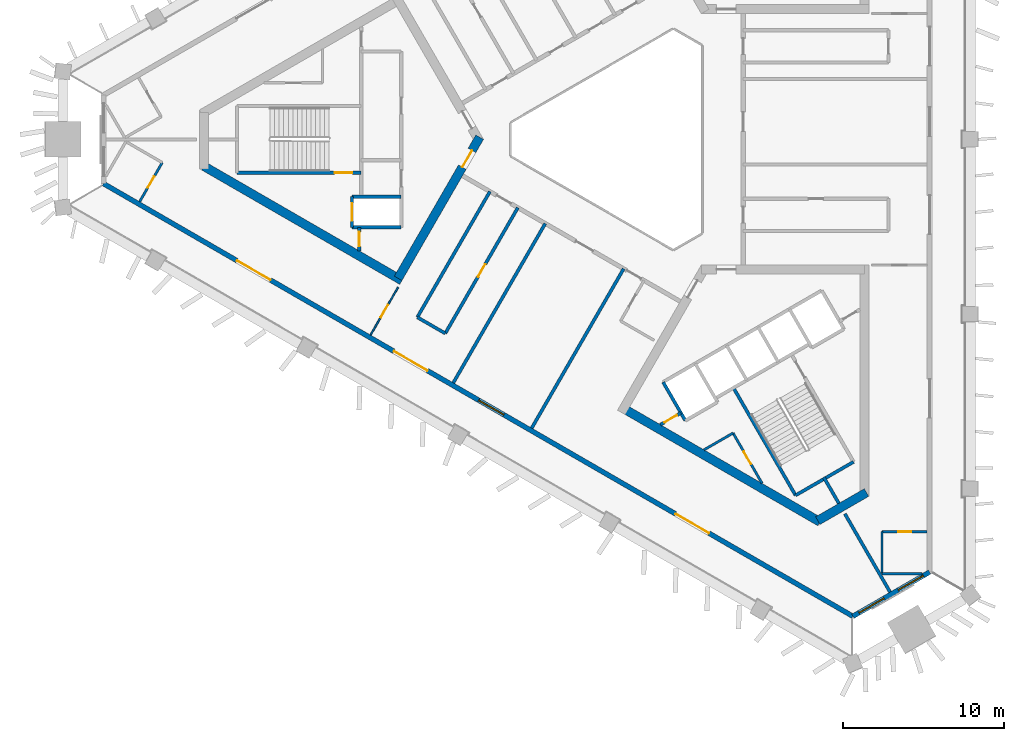
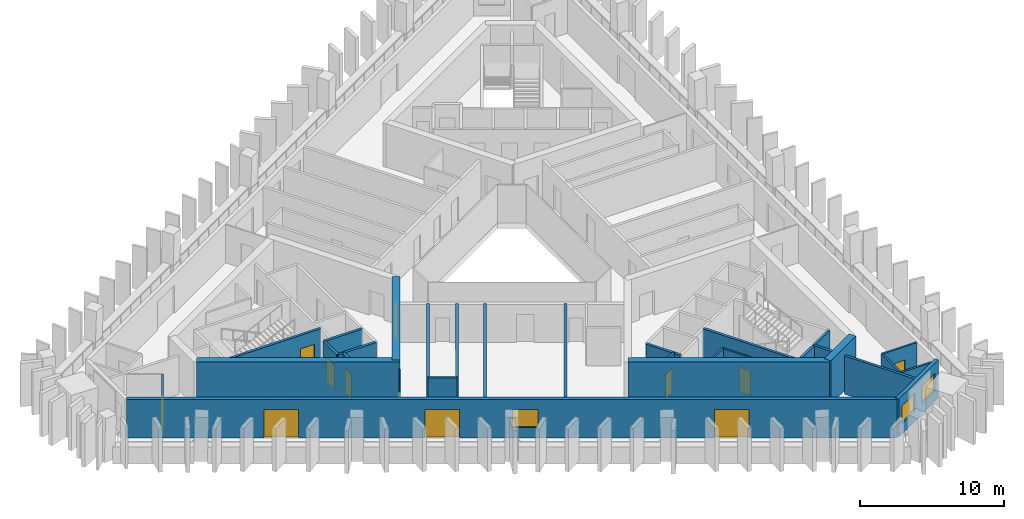
# One storey, part 2 of 9: 29 walls, 13 doors, 3 windows, 16 openings.
"""IFC4 building model written with IfcOpenShell, lengths in metres."""

from ifc_helpers import new_model, si_unit, direction, frame, frame_2d, origin, place, context, subcontext, project, spatial, rectangle, extrude, material, layer, layer_set, type_object, element, fill, save


model = new_model("IFC4")

# Units and contexts
model_context = context("Model", 3, precision=1e-05, world=origin(), true_north=direction((0.0, 1.0)))
body_context = subcontext(model_context, "Body", "Model", "MODEL_VIEW")
ifc_project = project(units=[si_unit("LENGTHUNIT", "METRE"), si_unit("AREAUNIT", "SQUARE_METRE"), si_unit("VOLUMEUNIT", "CUBIC_METRE"), si_unit("PLANEANGLEUNIT", "RADIAN"), si_unit("MASSUNIT", "GRAM", prefix="KILO")], contexts=[model_context])

# Site, building, storey
site_placement = place(None, origin())
site = spatial("IfcSite", under=ifc_project, at=site_placement, CompositionType="ELEMENT")
building_placement = place(site_placement, origin())
building = spatial("IfcBuilding", under=site, at=building_placement, Name="Jabali Bay Hotel Tower and Convention Centre", CompositionType="ELEMENT")
storey_placement = place(building_placement, frame((0.0, 0.0, 171.10009765625)))
storey = spatial("IfcBuildingStorey", under=building, at=storey_placement, Name="L41", CompositionType="ELEMENT", Elevation=171.10009765625)

# Wall, opening, door
ifc_material_1 = material(Name="Concrete C40", Category="concrete")
ifc_layer_1 = layer(ifc_material_1, 0.199951171875)
ifc_layer_set_1 = layer_set([ifc_layer_1], Name="Concrete C40")
wall_type_1 = type_object("IfcWallType", Name="Core partition wall 200", PredefinedType="PARTITIONING", material=ifc_layer_set_1)
wall_1_placement = place(storey_placement, frame((58.300048828125, 74.550048828125, 0.0), z_axis=(0.0, 0.0, 1.0), x_axis=(0.0, -1.0, 0.0)))
wall_1 = element("IfcWall", 1, at=wall_1_placement, inside=storey, type_object=wall_type_1, Name="Core wall 0.10 L41", PredefinedType="PARTITIONING", context=body_context, shape_type="SweptSolid", body=[
    extrude(rectangle(XDim=1.455078125, YDim=0.199951171875, at=frame_2d((0.7275390625, 0.0))), origin(), (0.0, 0.0, 1.0), 3.25),
])
opening_1_placement = place(wall_1_placement, frame((0.277587890625, 0.0, 0.0)))
opening_1 = element("IfcOpeningElement", 2, at=opening_1_placement, cuts=wall_1, Name="Opening D889", PredefinedType="OPENING", context=body_context, shape_type="SweptSolid", body=[
    extrude(rectangle(XDim=0.89990234375, YDim=2.10009765625, at=frame_2d((0.449951171875, 1.050048828125))), frame((0.0, 0.1103515625, 0.0), z_axis=(0.0, -1.0, 0.0), x_axis=(1.0, 0.0, 0.0)), (0.0, 0.0, 1.0), 0.220947265625),
])
ifc_material_2 = material(Name="Fire-rated steel door", Category="steel")
door_type_1 = type_object("IfcDoorType", Name="Vestibule fire door 900 x 2100", OperationType="NOTDEFINED", PredefinedType="NOTDEFINED", material=ifc_material_2)
door_1_placement = place(opening_1_placement, origin())
door_1 = element("IfcDoor", 3, at=door_1_placement, inside=storey, type_object=door_type_1, Name="Vestibule fire door D889", OperationType="SINGLE_SWING_LEFT", OverallHeight=2.10009765625, OverallWidth=0.89990234375, PredefinedType="NOTDEFINED", context=body_context, shape_type="SweptSolid", body=[
    extrude(rectangle(XDim=0.89990234375, YDim=2.10009765625, at=frame_2d((0.449951171875, 1.050048828125))), frame((0.0, 0.02490234375, 0.0), z_axis=(0.0, -1.0, 0.0), x_axis=(1.0, 0.0, 0.0)), (0.0, 0.0, 1.0), 0.050048828125),
])
fill(opening_1, door_1)

# Wall
wall_2_placement = place(storey_placement, frame((87.090087890625, 59.0595703125, 0.0), z_axis=(0.0, 0.0, 1.0), x_axis=(0.499951854219, -0.86605319898, 0.0)))
element("IfcWall", 4, at=wall_2_placement, inside=storey, type_object=wall_type_1, Name="Core wall 2.5 L41", PredefinedType="PARTITIONING", context=body_context, shape_type="SweptSolid", body=[
    extrude(rectangle(XDim=1.873291015625, YDim=0.199951171875, at=frame_2d((0.9365234375, 0.0))), origin(), (0.0, 0.0, 1.0), 3.25),
])

# Wall, opening, door
wall_3_placement = place(storey_placement, frame((76.969970703125, 62.315673828125, 0.0), z_axis=(0.0, 0.0, 1.0), x_axis=(0.865982457891, 0.500074377092, 0.0)))
wall_3 = element("IfcWall", 5, at=wall_3_placement, inside=storey, type_object=wall_type_1, Name="Core wall 2.11 L41", PredefinedType="PARTITIONING", context=body_context, shape_type="SweptSolid", body=[
    extrude(rectangle(XDim=1.461181640625, YDim=0.199951171875, at=frame_2d((0.73046875, 0.0))), origin(), (0.0, 0.0, 1.0), 3.25),
])
opening_2_placement = place(wall_3_placement, frame((0.280517578125, 0.0, 0.0)))
opening_2 = element("IfcOpeningElement", 6, at=opening_2_placement, cuts=wall_3, Name="Opening D902", PredefinedType="OPENING", context=body_context, shape_type="SweptSolid", body=[
    extrude(rectangle(XDim=0.89990234375, YDim=2.10009765625, at=frame_2d((0.449951171875, 1.050048828125))), frame((0.0, 0.1103515625, 0.0), z_axis=(0.0, -1.0, 0.0), x_axis=(1.0, 0.0, 0.0)), (0.0, 0.0, 1.0), 0.220947265625),
])
door_2_placement = place(opening_2_placement, origin())
door_2 = element("IfcDoor", 7, at=door_2_placement, inside=storey, type_object=door_type_1, Name="Vestibule fire door D902", OperationType="SINGLE_SWING_LEFT", OverallHeight=2.10009765625, OverallWidth=0.89990234375, PredefinedType="NOTDEFINED", context=body_context, shape_type="SweptSolid", body=[
    extrude(rectangle(XDim=0.89990234375, YDim=2.10009765625, at=frame_2d((0.449951171875, 1.050048828125))), frame((0.0, 0.02490234375, 0.0), z_axis=(0.0, -1.0, 0.0), x_axis=(1.0, 0.0, 0.0)), (0.0, 0.0, 1.0), 0.050048828125),
])
fill(opening_2, door_2)

ifc_material_3 = material(Name="Fire-rated board partition")
ifc_layer_2 = layer(ifc_material_3, 0.14990234375)
ifc_layer_set_2 = layer_set([ifc_layer_2], Name="Fire-rated board partition")
wall_type_2 = type_object("IfcWallType", Name="Core room partition 150", PredefinedType="PARTITIONING", material=ifc_layer_set_2)
wall_4_placement = place(storey_placement, frame((81.468994140625, 61.79541015625, 0.0), z_axis=(0.0, 0.0, 1.0), x_axis=(0.499992664208, -0.866029639064, 0.0)))
wall_4 = element("IfcWall", 8, at=wall_4_placement, inside=storey, type_object=wall_type_2, Name="Core wall 2.1 L41", PredefinedType="PARTITIONING", context=body_context, shape_type="SweptSolid", body=[
    extrude(rectangle(XDim=3.59765625, YDim=0.14990234375, at=frame_2d((1.798828125, 0.0))), origin(), (0.0, 0.0, 1.0), 3.25),
])
opening_3_placement = place(wall_4_placement, frame((1.321533203125, 0.0, 0.0)))
opening_3 = element("IfcOpeningElement", 9, at=opening_3_placement, cuts=wall_4, Name="Opening D904", PredefinedType="OPENING", context=body_context, shape_type="SweptSolid", body=[
    extrude(rectangle(XDim=0.89990234375, YDim=2.10009765625, at=frame_2d((0.449951171875, 1.050048828125))), frame((0.0, 0.08544921875, 0.0), z_axis=(0.0, -1.0, 0.0), x_axis=(1.0, 0.0, 0.0)), (0.0, 0.0, 1.0), 0.1708984375),
])
door_type_2 = type_object("IfcDoorType", Name="Core room door 900 x 2100", OperationType="NOTDEFINED", PredefinedType="NOTDEFINED", material=ifc_material_2)
door_3_placement = place(opening_3_placement, origin())
door_3 = element("IfcDoor", 10, at=door_3_placement, inside=storey, type_object=door_type_2, Name="Core room door D904", OperationType="SINGLE_SWING_LEFT", OverallHeight=2.10009765625, OverallWidth=0.89990234375, PredefinedType="NOTDEFINED", context=body_context, shape_type="SweptSolid", body=[
    extrude(rectangle(XDim=0.89990234375, YDim=2.10009765625, at=frame_2d((0.449951171875, 1.050048828125))), frame((0.0, 0.02490234375, 0.0), z_axis=(0.0, -1.0, 0.0), x_axis=(1.0, 0.0, 0.0)), (0.0, 0.0, 1.0), 0.050048828125),
])
fill(opening_3, door_3)

# Wall
wall_5_placement = place(storey_placement, frame((79.669921875, 60.7568359375, 0.0), z_axis=(0.0, 0.0, 1.0), x_axis=(0.866050549317, 0.49995644413, 0.0)))
element("IfcWall", 11, at=wall_5_placement, inside=storey, type_object=wall_type_2, Name="Core wall 2.16 L41", PredefinedType="PARTITIONING", context=body_context, shape_type="SweptSolid", body=[
    extrude(rectangle(XDim=2.077392578125, YDim=0.14990234375, at=frame_2d((1.03857421875, 0.0))), origin(), (0.0, 0.0, 1.0), 3.25),
])

# Wall, opening, door
ifc_layer_3 = layer(ifc_material_1, 0.199951171875)
ifc_layer_set_3 = layer_set([ifc_layer_3], Name="Concrete C40")
wall_type_3 = type_object("IfcWallType", Name="Core stair wall 200", PredefinedType="SOLIDWALL", material=ifc_layer_set_3)
wall_6_placement = place(storey_placement, frame((58.419921875, 77.925048828125, 0.0), z_axis=(0.0, 0.0, 1.0), x_axis=(-1.0, 0.0, 0.0)))
wall_6 = element("IfcWall", 12, at=wall_6_placement, inside=storey, type_object=wall_type_3, Name="Core wall 0.5 L41", PredefinedType="SOLIDWALL", context=body_context, shape_type="SweptSolid", body=[
    extrude(rectangle(XDim=7.699951171875, YDim=0.199951171875, at=frame_2d((3.85009765625, 0.0))), origin(), (0.0, 0.0, 1.0), 3.25),
])
opening_4_placement = place(wall_6_placement, frame((0.550048828125, 0.0, 0.0)))
opening_4 = element("IfcOpeningElement", 13, at=opening_4_placement, cuts=wall_6, Name="Opening D891", PredefinedType="OPENING", context=body_context, shape_type="SweptSolid", body=[
    extrude(rectangle(XDim=1.10009765625, YDim=2.10009765625, at=frame_2d((0.550048828125, 1.050048828125))), frame((0.0, 0.1103515625, 0.0), z_axis=(0.0, -1.0, 0.0), x_axis=(1.0, 0.0, 0.0)), (0.0, 0.0, 1.0), 0.220947265625),
])
door_type_3 = type_object("IfcDoorType", Name="Stair fire door 1100 x 2100", OperationType="NOTDEFINED", PredefinedType="NOTDEFINED", material=ifc_material_2)
door_4_placement = place(opening_4_placement, origin())
door_4 = element("IfcDoor", 14, at=door_4_placement, inside=storey, type_object=door_type_3, Name="Stair fire door D891", OperationType="SINGLE_SWING_RIGHT", OverallHeight=2.10009765625, OverallWidth=1.10009765625, PredefinedType="NOTDEFINED", context=body_context, shape_type="SweptSolid", body=[
    extrude(rectangle(XDim=1.10009765625, YDim=2.10009765625, at=frame_2d((0.550048828125, 1.050048828125))), frame((0.0, 0.02490234375, 0.0), z_axis=(0.0, -1.0, 0.0), x_axis=(1.0, 0.0, 0.0)), (0.0, 0.0, 1.0), 0.050048828125),
])
fill(opening_4, door_4)

# Walls
for number, where, z_axis, x_axis, name in (
    (15, (60.89990234375, 76.449951171875, 0.0), (0.0, 0.0, 1.0), (-1.0, 0.0, 0.0), "Core wall 0.6 L41"),
    (16, (60.89990234375, 74.550048828125, 0.0), (0.0, 0.0, 1.0), (-1.0, 0.0, 0.0), "Core wall 0.7 L41"),
):
    element("IfcWall", number, at=place(storey_placement, frame(where, z_axis=z_axis, x_axis=x_axis)), inside=storey, type_object=wall_type_3, Name=name, PredefinedType="SOLIDWALL", context=body_context, shape_type="SweptSolid", body=[
        extrude(rectangle(XDim=3.0498046875, YDim=0.199951171875, at=frame_2d((1.52490234375, 0.0))), origin(), (0.0, 0.0, 1.0), 3.25),
    ])

# Wall, opening, door
wall_7_placement = place(storey_placement, frame((57.85009765625, 76.449951171875, 0.0), z_axis=(0.0, 0.0, 1.0), x_axis=(0.0, -1.0, 0.0)))
wall_7 = element("IfcWall", 17, at=wall_7_placement, inside=storey, type_object=wall_type_3, Name="Core wall 0.11 L41", PredefinedType="SOLIDWALL", context=body_context, shape_type="SweptSolid", body=[
    extrude(rectangle(XDim=1.89990234375, YDim=0.199951171875, at=frame_2d((0.949951171875, 0.0))), origin(), (0.0, 0.0, 1.0), 3.25),
])
opening_5_placement = place(wall_7_placement, frame((0.39990234375, 0.0, 0.0)))
opening_5 = element("IfcOpeningElement", 18, at=opening_5_placement, cuts=wall_7, Name="Opening LD5-L41", PredefinedType="OPENING", context=body_context, shape_type="SweptSolid", body=[
    extrude(rectangle(XDim=1.10009765625, YDim=2.10009765625, at=frame_2d((0.550048828125, 1.050048828125))), frame((0.0, 0.1103515625, 0.0), z_axis=(0.0, -1.0, 0.0), x_axis=(1.0, 0.0, 0.0)), (0.0, 0.0, 1.0), 0.220947265625),
])
ifc_material_4 = material(Name="Stainless steel landing door", Category="steel")
door_type_4 = type_object("IfcDoorType", Name="Landing door 1100 x 2100", OperationType="NOTDEFINED", PredefinedType="NOTDEFINED", material=ifc_material_4)
door_5_placement = place(opening_5_placement, origin())
door_5 = element("IfcDoor", 19, at=door_5_placement, inside=storey, type_object=door_type_4, Name="Landing doors LD5-L41", OperationType="SLIDING_TO_RIGHT", OverallHeight=2.10009765625, OverallWidth=1.10009765625, PredefinedType="NOTDEFINED", context=body_context, shape_type="SweptSolid", body=[
    extrude(rectangle(XDim=1.10009765625, YDim=2.10009765625, at=frame_2d((0.550048828125, 1.050048828125))), frame((0.0, 0.02490234375, 0.0), z_axis=(0.0, -1.0, 0.0), x_axis=(1.0, 0.0, 0.0)), (0.0, 0.0, 1.0), 0.050048828125),
])
fill(opening_5, door_5)

# Walls
wall_8_placement = place(storey_placement, frame((77.13525390625, 64.95166015625, 0.0), z_axis=(0.0, 0.0, 1.0), x_axis=(0.499996545922, -0.866027397988, 0.0)))
element("IfcWall", 20, at=wall_8_placement, inside=storey, type_object=wall_type_3, Name="Core wall 2.0 L41", PredefinedType="SOLIDWALL", context=body_context, shape_type="SweptSolid", body=[
    extrude(rectangle(XDim=2.75, YDim=0.199951171875, at=frame_2d((1.375, 0.0))), origin(), (0.0, 0.0, 1.0), 3.25),
])
wall_9_placement = place(storey_placement, frame((81.492919921875, 64.603759765625, 0.0), z_axis=(0.0, 0.0, 1.0), x_axis=(0.500006057782, -0.866021906294, 0.0)))
element("IfcWall", 21, at=wall_9_placement, inside=storey, type_object=wall_type_3, Name="Core wall 2.3 L41", PredefinedType="SOLIDWALL", context=body_context, shape_type="SweptSolid", body=[
    extrude(rectangle(XDim=7.7001953125, YDim=0.199951171875, at=frame_2d((3.85009765625, 0.0))), origin(), (0.0, 0.0, 1.0), 3.25),
])
wall_10_placement = place(storey_placement, frame((85.343017578125, 57.935302734375, 0.0), z_axis=(0.0, 0.0, 1.0), x_axis=(0.866004344652, 0.500036473714, 0.0)))
element("IfcWall", 22, at=wall_10_placement, inside=storey, type_object=wall_type_3, Name="Core wall 2.17 L41", PredefinedType="SOLIDWALL", context=body_context, shape_type="SweptSolid", body=[
    extrude(rectangle(XDim=4.150146484375, YDim=0.199951171875, at=frame_2d((2.0751953125, 0.0))), origin(), (0.0, 0.0, 1.0), 3.25),
])
ifc_material_5 = material(Name="Concrete C60", Category="concrete")
ifc_layer_4 = layer(ifc_material_5, 0.550048828125)
ifc_layer_set_4 = layer_set([ifc_layer_4], Name="Concrete C60")
wall_type_4 = type_object("IfcWallType", Name="Core wall 550", PredefinedType="SHEAR", material=ifc_layer_set_4)
wall_11_placement = place(storey_placement, frame((48.671875, 78.336181640625, 0.0), z_axis=(0.0, 0.0, 1.0), x_axis=(0.866023530946, -0.500003243837, 0.0)))
element("IfcWall", 23, at=wall_11_placement, inside=storey, type_object=wall_type_4, Name="Core wall 1.4 L41", PredefinedType="SHEAR", context=body_context, shape_type="SweptSolid", body=[
    extrude(rectangle(XDim=14.1748046875, YDim=0.550048828125, at=frame_2d((7.08740234375, 0.0))), origin(), (0.0, 0.0, 1.0), 3.699951171875),
])

# Wall, opening, door
wall_12_placement = place(storey_placement, frame((60.709228515625, 71.38623046875, 0.0), z_axis=(0.0, 0.0, 1.0), x_axis=(0.500015938302, 0.866016201606, 0.0)))
wall_12 = element("IfcWall", 24, at=wall_12_placement, inside=storey, type_object=wall_type_4, Name="Core wall 1.5 L41", PredefinedType="SHEAR", context=body_context, shape_type="SweptSolid", body=[
    extrude(rectangle(XDim=10.105224609375, YDim=0.550048828125, at=frame_2d((5.052734375, 0.0))), origin(), (0.0, 0.0, 1.0), 3.699951171875),
])
opening_6_placement = place(wall_12_placement, frame((7.955078125, 0.0, 0.0)))
opening_6 = element("IfcOpeningElement", 25, at=opening_6_placement, cuts=wall_12, Name="Opening D886", PredefinedType="OPENING", context=body_context, shape_type="SweptSolid", body=[
    extrude(rectangle(XDim=1.199951171875, YDim=2.10009765625, at=frame_2d((0.60009765625, 1.050048828125))), frame((0.0, 0.28564453125, 0.0), z_axis=(0.0, -1.0, 0.0), x_axis=(1.0, 0.0, 0.0)), (0.0, 0.0, 1.0), 0.571044921875),
])
door_type_5 = type_object("IfcDoorType", Name="Corridor end fire door 1200 x 2100", OperationType="NOTDEFINED", PredefinedType="NOTDEFINED", material=ifc_material_2)
door_6_placement = place(opening_6_placement, origin())
door_6 = element("IfcDoor", 26, at=door_6_placement, inside=storey, type_object=door_type_5, Name="Corridor end fire door D886", OperationType="SINGLE_SWING_LEFT", OverallHeight=2.10009765625, OverallWidth=1.199951171875, PredefinedType="NOTDEFINED", context=body_context, shape_type="SweptSolid", body=[
    extrude(rectangle(XDim=1.199951171875, YDim=2.10009765625, at=frame_2d((0.60009765625, 1.050048828125))), frame((0.0, 0.02490234375, 0.0), z_axis=(0.0, -1.0, 0.0), x_axis=(1.0, 0.0, 0.0)), (0.0, 0.0, 1.0), 0.050048828125),
])
fill(opening_6, door_6)

# Walls
wall_13_placement = place(storey_placement, frame((74.685546875, 63.317138671875, 0.0), z_axis=(0.0, 0.0, 1.0), x_axis=(0.866024505738, -0.500001555459, 0.0)))
element("IfcWall", 27, at=wall_13_placement, inside=storey, type_object=wall_type_4, Name="Core wall 3.2 L41", PredefinedType="SHEAR", context=body_context, shape_type="SweptSolid", body=[
    extrude(rectangle(XDim=14.05859375, YDim=0.550048828125, at=frame_2d((7.029296875, 0.0))), origin(), (0.0, 0.0, 1.0), 3.699951171875),
])
wall_14_placement = place(storey_placement, frame((86.72314453125, 56.3671875, 0.0), z_axis=(0.0, 0.0, 1.0), x_axis=(0.865997833373, 0.500047750313, 0.0)))
element("IfcWall", 28, at=wall_14_placement, inside=storey, type_object=wall_type_4, Name="Core wall 3.3 L41", PredefinedType="SHEAR", context=body_context, shape_type="SweptSolid", body=[
    extrude(rectangle(XDim=3.486572265625, YDim=0.550048828125, at=frame_2d((1.7431640625, 0.0))), origin(), (0.0, 0.0, 1.0), 3.699951171875),
])

# Wall, openings, windows
ifc_layer_5 = layer(ifc_material_1, 0.300048828125)
ifc_layer_set_5 = layer_set([ifc_layer_5], Name="Concrete C40")
wall_type_5 = type_object("IfcWallType", Name="External wall 300", PredefinedType="SOLIDWALL", material=ifc_layer_set_5)
wall_15_placement = place(storey_placement, frame((93.6513671875, 53.182373046875, 0.0), z_axis=(0.0, 0.0, 1.0), x_axis=(-0.866038895281, -0.499976631314, 0.0)))
wall_15 = element("IfcWall", 29, at=wall_15_placement, inside=storey, type_object=wall_type_5, Name="External wall south-east chamfer L41", PredefinedType="SOLIDWALL", context=body_context, shape_type="SweptSolid", body=[
    extrude(rectangle(XDim=5.487548828125, YDim=0.300048828125, at=frame_2d((2.74365234375, 0.0))), origin(), (0.0, 0.0, 1.0), 3.25),
])
opening_7_placement = place(wall_15_placement, frame((0.443115234375, 0.0, 0.89990234375)))
opening_7 = element("IfcOpeningElement", 30, at=opening_7_placement, cuts=wall_15, Name="Opening W1", PredefinedType="OPENING", context=body_context, shape_type="SweptSolid", body=[
    extrude(rectangle(XDim=1.800048828125, YDim=1.5, at=frame_2d((0.89990234375, 0.75))), frame((0.0, 0.16064453125, 0.0), z_axis=(0.0, -1.0, 0.0), x_axis=(1.0, 0.0, 0.0)), (0.0, 0.0, 1.0), 0.321044921875),
])
opening_8_placement = place(wall_15_placement, frame((3.258544921875, 0.0, 0.89990234375)))
opening_8 = element("IfcOpeningElement", 31, at=opening_8_placement, cuts=wall_15, Name="Opening W1", PredefinedType="OPENING", context=body_context, shape_type="SweptSolid", body=[
    extrude(rectangle(XDim=1.800048828125, YDim=1.5, at=frame_2d((0.89990234375, 0.75))), frame((0.0, 0.16064453125, 0.0), z_axis=(0.0, -1.0, 0.0), x_axis=(1.0, 0.0, 0.0)), (0.0, 0.0, 1.0), 0.321044921875),
])
ifc_material_6 = material(Name="Glass", Category="glass")
window_type = type_object("IfcWindowType", Name="Window 1800 x 1500", PartitioningType="SINGLE_PANEL", PredefinedType="WINDOW", material=ifc_material_6)
window_1_placement = place(opening_7_placement, origin())
window_1 = element("IfcWindow", 32, at=window_1_placement, inside=storey, type_object=window_type, Name="Window 4101", OverallHeight=1.5, OverallWidth=1.800048828125, PartitioningType="SINGLE_PANEL", PredefinedType="WINDOW", context=body_context, shape_type="SweptSolid", body=[
    extrude(rectangle(XDim=1.800048828125, YDim=1.5, at=frame_2d((0.89990234375, 0.75))), frame((0.0, 0.030029296875, 0.0), z_axis=(0.0, -1.0, 0.0), x_axis=(1.0, 0.0, 0.0)), (0.0, 0.0, 1.0), 0.06005859375),
])
fill(opening_7, window_1)
window_2_placement = place(opening_8_placement, origin())
window_2 = element("IfcWindow", 33, at=window_2_placement, inside=storey, type_object=window_type, Name="Window 4112", OverallHeight=1.5, OverallWidth=1.800048828125, PartitioningType="SINGLE_PANEL", PredefinedType="WINDOW", context=body_context, shape_type="SweptSolid", body=[
    extrude(rectangle(XDim=1.800048828125, YDim=1.5, at=frame_2d((0.89990234375, 0.75))), frame((0.0, 0.030029296875, 0.0), z_axis=(0.0, -1.0, 0.0), x_axis=(1.0, 0.0, 0.0)), (0.0, 0.0, 1.0), 0.06005859375),
])
fill(opening_8, window_2)

# Wall, openings, doors, window
wall_16_placement = place(storey_placement, frame((88.89892578125, 50.438720703125, 0.0), z_axis=(0.0, 0.0, 1.0), x_axis=(-0.866024128163, 0.500002209434, 0.0)))
wall_16 = element("IfcWall", 34, at=wall_16_placement, inside=storey, type_object=wall_type_5, Name="External wall south-west face L41", PredefinedType="SOLIDWALL", context=body_context, shape_type="SweptSolid", body=[
    extrude(rectangle(XDim=53.635009765625, YDim=0.300048828125, at=frame_2d((26.8173828125, 0.0))), origin(), (0.0, 0.0, 1.0), 3.25),
])
opening_9_placement = place(wall_16_placement, frame((30.449951171875, 0.0, 0.0)))
opening_9 = element("IfcOpeningElement", 35, at=opening_9_placement, cuts=wall_16, Name="Opening SD1", PredefinedType="OPENING", context=body_context, shape_type="SweptSolid", body=[
    extrude(rectangle(XDim=2.39990234375, YDim=2.39990234375, at=frame_2d((1.199951171875, 1.199951171875))), frame((0.0, 0.16064453125, 0.0), z_axis=(0.0, -1.0, 0.0), x_axis=(1.0, 0.0, 0.0)), (0.0, 0.0, 1.0), 0.321044921875),
])
opening_10_placement = place(wall_16_placement, frame((41.683349609375, 0.0, 0.0)))
opening_10 = element("IfcOpeningElement", 36, at=opening_10_placement, cuts=wall_16, Name="Opening SD1", PredefinedType="OPENING", context=body_context, shape_type="SweptSolid", body=[
    extrude(rectangle(XDim=2.39990234375, YDim=2.39990234375, at=frame_2d((1.199951171875, 1.199951171875))), frame((0.0, 0.16064453125, 0.0), z_axis=(0.0, -1.0, 0.0), x_axis=(1.0, 0.0, 0.0)), (0.0, 0.0, 1.0), 0.321044921875),
])
opening_11_placement = place(wall_16_placement, frame((10.294921875, 0.0, 0.0)))
opening_11 = element("IfcOpeningElement", 37, at=opening_11_placement, cuts=wall_16, Name="Opening SD1", PredefinedType="OPENING", context=body_context, shape_type="SweptSolid", body=[
    extrude(rectangle(XDim=2.39990234375, YDim=2.39990234375, at=frame_2d((1.199951171875, 1.199951171875))), frame((0.0, 0.16064453125, 0.0), z_axis=(0.0, -1.0, 0.0), x_axis=(1.0, 0.0, 0.0)), (0.0, 0.0, 1.0), 0.321044921875),
])
opening_12_placement = place(wall_16_placement, frame((24.982177734375, 0.0, 0.89990234375)))
opening_12 = element("IfcOpeningElement", 38, at=opening_12_placement, cuts=wall_16, Name="Opening W1", PredefinedType="OPENING", context=body_context, shape_type="SweptSolid", body=[
    extrude(rectangle(XDim=1.800048828125, YDim=1.5, at=frame_2d((0.89990234375, 0.75))), frame((0.0, 0.16064453125, 0.0), z_axis=(0.0, -1.0, 0.0), x_axis=(1.0, 0.0, 0.0)), (0.0, 0.0, 1.0), 0.321044921875),
])
door_type_6 = type_object("IfcDoorType", Name="Loggia sliding door 2400 x 2400", OperationType="NOTDEFINED", PredefinedType="NOTDEFINED", material=ifc_material_6)
door_7_placement = place(opening_9_placement, origin())
door_7 = element("IfcDoor", 39, at=door_7_placement, inside=storey, type_object=door_type_6, Name="Loggia sliding door 4110", OperationType="SLIDING_TO_LEFT", OverallHeight=2.39990234375, OverallWidth=2.39990234375, PredefinedType="NOTDEFINED", context=body_context, shape_type="SweptSolid", body=[
    extrude(rectangle(XDim=2.39990234375, YDim=2.39990234375, at=frame_2d((1.199951171875, 1.199951171875))), frame((0.0, 0.02490234375, 0.0), z_axis=(0.0, -1.0, 0.0), x_axis=(1.0, 0.0, 0.0)), (0.0, 0.0, 1.0), 0.050048828125),
])
fill(opening_9, door_7)
door_8_placement = place(opening_10_placement, origin())
door_8 = element("IfcDoor", 40, at=door_8_placement, inside=storey, type_object=door_type_6, Name="Loggia sliding door 4110", OperationType="SLIDING_TO_RIGHT", OverallHeight=2.39990234375, OverallWidth=2.39990234375, PredefinedType="NOTDEFINED", context=body_context, shape_type="SweptSolid", body=[
    extrude(rectangle(XDim=2.39990234375, YDim=2.39990234375, at=frame_2d((1.199951171875, 1.199951171875))), frame((0.0, 0.02490234375, 0.0), z_axis=(0.0, -1.0, 0.0), x_axis=(1.0, 0.0, 0.0)), (0.0, 0.0, 1.0), 0.050048828125),
])
fill(opening_10, door_8)
door_9_placement = place(opening_11_placement, origin())
door_9 = element("IfcDoor", 41, at=door_9_placement, inside=storey, type_object=door_type_6, Name="Loggia sliding door 4112", OperationType="SLIDING_TO_LEFT", OverallHeight=2.39990234375, OverallWidth=2.39990234375, PredefinedType="NOTDEFINED", context=body_context, shape_type="SweptSolid", body=[
    extrude(rectangle(XDim=2.39990234375, YDim=2.39990234375, at=frame_2d((1.199951171875, 1.199951171875))), frame((0.0, 0.02490234375, 0.0), z_axis=(0.0, -1.0, 0.0), x_axis=(1.0, 0.0, 0.0)), (0.0, 0.0, 1.0), 0.050048828125),
])
fill(opening_11, door_9)
window_3_placement = place(opening_12_placement, origin())
window_3 = element("IfcWindow", 42, at=window_3_placement, inside=storey, type_object=window_type, Name="Window", OverallHeight=1.5, OverallWidth=1.800048828125, PartitioningType="SINGLE_PANEL", PredefinedType="WINDOW", context=body_context, shape_type="SweptSolid", body=[
    extrude(rectangle(XDim=1.800048828125, YDim=1.5, at=frame_2d((0.89990234375, 0.75))), frame((0.0, 0.030029296875, 0.0), z_axis=(0.0, -1.0, 0.0), x_axis=(1.0, 0.0, 0.0)), (0.0, 0.0, 1.0), 0.06005859375),
])
fill(opening_12, window_3)

# Wall, opening, door
ifc_material_7 = material(Name="Plasterboard on steel stud", Category="steel")
ifc_layer_6 = layer(ifc_material_7, 0.10009765625)
ifc_layer_set_6 = layer_set([ifc_layer_6], Name="Plasterboard on steel stud")
wall_type_6 = type_object("IfcWallType", Name="Partition 100 unit", PredefinedType="PARTITIONING", material=ifc_layer_set_6)
wall_17_placement = place(storey_placement, frame((60.71044921875, 70.83837890625, 0.0), z_axis=(0.0, 0.0, 1.0), x_axis=(-0.499981725576, -0.866035954271, 0.0)))
wall_17 = element("IfcWall", 43, at=wall_17_placement, inside=storey, type_object=wall_type_6, Name="Partition P02 L41 032", PredefinedType="PARTITIONING", context=body_context, shape_type="SweptSolid", body=[
    extrude(rectangle(XDim=3.423583984375, YDim=0.10009765625, at=frame_2d((1.7119140625, 0.0))), origin(), (0.0, 0.0, 1.0), 3.25),
])
opening_13_placement = place(wall_17_placement, frame((1.261962890625, 0.0, 0.0)))
opening_13 = element("IfcOpeningElement", 44, at=opening_13_placement, cuts=wall_17, Name="Opening 4119", PredefinedType="OPENING", context=body_context, shape_type="SweptSolid", body=[
    extrude(rectangle(XDim=0.89990234375, YDim=2.10009765625, at=frame_2d((0.449951171875, 1.050048828125))), frame((0.0, 0.060546875, 0.0), z_axis=(0.0, -1.0, 0.0), x_axis=(1.0, 0.0, 0.0)), (0.0, 0.0, 1.0), 0.12109375),
])
ifc_material_8 = material(Name="Timber", Category="wood")
door_type_7 = type_object("IfcDoorType", Name="Internal door 900 x 2100", OperationType="NOTDEFINED", PredefinedType="NOTDEFINED", material=ifc_material_8)
door_10_placement = place(opening_13_placement, origin())
door_10 = element("IfcDoor", 45, at=door_10_placement, inside=storey, type_object=door_type_7, Name="Door 4119", OperationType="SINGLE_SWING_RIGHT", OverallHeight=2.10009765625, OverallWidth=0.89990234375, PredefinedType="NOTDEFINED", context=body_context, shape_type="SweptSolid", body=[
    extrude(rectangle(XDim=0.89990234375, YDim=2.10009765625, at=frame_2d((0.449951171875, 1.050048828125))), frame((0.0, 0.02490234375, 0.0), z_axis=(0.0, -1.0, 0.0), x_axis=(1.0, 0.0, 0.0)), (0.0, 0.0, 1.0), 0.050048828125),
])
fill(opening_13, door_10)

# Walls
ifc_layer_7 = layer(ifc_material_7, 0.14990234375)
ifc_layer_set_7 = layer_set([ifc_layer_7], Name="Plasterboard on steel stud")
wall_type_7 = type_object("IfcWallType", Name="Partition 150 wet", PredefinedType="PARTITIONING", material=ifc_layer_set_7)
wall_18_placement = place(storey_placement, frame((93.177001953125, 53.08056640625, 0.0), z_axis=(0.0, 0.0, 1.0), x_axis=(-1.0, 0.0, 0.0)))
element("IfcWall", 46, at=wall_18_placement, inside=storey, type_object=wall_type_7, Name="Partition P03 L41 006", PredefinedType="PARTITIONING", context=body_context, shape_type="SweptSolid", body=[
    extrude(rectangle(XDim=2.475341796875, YDim=0.14990234375, at=frame_2d((1.23779296875, 0.0))), origin(), (0.0, 0.0, 1.0), 3.25),
])
wall_19_placement = place(storey_placement, frame((90.70166015625, 53.08056640625, 0.0), z_axis=(0.0, 0.0, 1.0), x_axis=(0.0, 1.0, 0.0)))
element("IfcWall", 47, at=wall_19_placement, inside=storey, type_object=wall_type_7, Name="Partition P03 L41 007", PredefinedType="PARTITIONING", context=body_context, shape_type="SweptSolid", body=[
    extrude(rectangle(XDim=2.60009765625, YDim=0.14990234375, at=frame_2d((1.300048828125, 0.0))), origin(), (0.0, 0.0, 1.0), 3.25),
])

# Wall, opening, door
wall_20_placement = place(storey_placement, frame((90.70166015625, 55.6806640625, 0.0), z_axis=(0.0, 0.0, 1.0), x_axis=(1.0, 0.0, 0.0)))
wall_20 = element("IfcWall", 48, at=wall_20_placement, inside=storey, type_object=wall_type_7, Name="Partition P03 L41 008", PredefinedType="PARTITIONING", context=body_context, shape_type="SweptSolid", body=[
    extrude(rectangle(XDim=2.80078125, YDim=0.14990234375, at=frame_2d((1.400390625, 0.0))), origin(), (0.0, 0.0, 1.0), 3.25),
])
opening_14_placement = place(wall_20_placement, frame((1.0, 0.0, 0.0)))
opening_14 = element("IfcOpeningElement", 49, at=opening_14_placement, cuts=wall_20, Name="Opening 4103", PredefinedType="OPENING", context=body_context, shape_type="SweptSolid", body=[
    extrude(rectangle(XDim=0.800048828125, YDim=2.10009765625, at=frame_2d((0.39990234375, 1.050048828125))), frame((0.0, 0.08544921875, 0.0), z_axis=(0.0, -1.0, 0.0), x_axis=(1.0, 0.0, 0.0)), (0.0, 0.0, 1.0), 0.1708984375),
])
door_type_8 = type_object("IfcDoorType", Name="En-suite door 800 x 2100", OperationType="NOTDEFINED", PredefinedType="NOTDEFINED", material=ifc_material_8)
door_11_placement = place(opening_14_placement, origin())
door_11 = element("IfcDoor", 50, at=door_11_placement, inside=storey, type_object=door_type_8, Name="Door 4103", OperationType="SINGLE_SWING_RIGHT", OverallHeight=2.10009765625, OverallWidth=0.800048828125, PredefinedType="NOTDEFINED", context=body_context, shape_type="SweptSolid", body=[
    extrude(rectangle(XDim=0.800048828125, YDim=2.10009765625, at=frame_2d((0.39990234375, 1.050048828125))), frame((0.0, 0.02490234375, 0.0), z_axis=(0.0, -1.0, 0.0), x_axis=(1.0, 0.0, 0.0)), (0.0, 0.0, 1.0), 0.050048828125),
])
fill(opening_14, door_11)

wall_21_placement = place(storey_placement, frame((46.088134765625, 78.561767578125, 0.0), z_axis=(0.0, 0.0, 1.0), x_axis=(-0.500001639361, -0.866024457297, 0.0)))
wall_21 = element("IfcWall", 51, at=wall_21_placement, inside=storey, type_object=wall_type_7, Name="Partition P03 L41 039", PredefinedType="PARTITIONING", context=body_context, shape_type="SweptSolid", body=[
    extrude(rectangle(XDim=2.80078125, YDim=0.14990234375, at=frame_2d((1.400390625, 0.0))), origin(), (0.0, 0.0, 1.0), 3.25),
])
opening_15_placement = place(wall_21_placement, frame((1.0, 0.0, 0.0)))
opening_15 = element("IfcOpeningElement", 52, at=opening_15_placement, cuts=wall_21, Name="Opening 4120", PredefinedType="OPENING", context=body_context, shape_type="SweptSolid", body=[
    extrude(rectangle(XDim=0.800048828125, YDim=2.10009765625, at=frame_2d((0.39990234375, 1.050048828125))), frame((0.0, 0.08544921875, 0.0), z_axis=(0.0, -1.0, 0.0), x_axis=(1.0, 0.0, 0.0)), (0.0, 0.0, 1.0), 0.1708984375),
])
door_12_placement = place(opening_15_placement, origin())
door_12 = element("IfcDoor", 53, at=door_12_placement, inside=storey, type_object=door_type_8, Name="Door 4120", OperationType="SINGLE_SWING_RIGHT", OverallHeight=2.10009765625, OverallWidth=0.800048828125, PredefinedType="NOTDEFINED", context=body_context, shape_type="SweptSolid", body=[
    extrude(rectangle(XDim=0.800048828125, YDim=2.10009765625, at=frame_2d((0.39990234375, 1.050048828125))), frame((0.0, 0.02490234375, 0.0), z_axis=(0.0, -1.0, 0.0), x_axis=(1.0, 0.0, 0.0)), (0.0, 0.0, 1.0), 0.050048828125),
])
fill(opening_15, door_12)

# Wall
ifc_layer_8 = layer(ifc_material_7, 0.199951171875)
ifc_layer_set_8 = layer_set([ifc_layer_8], Name="Plasterboard on steel stud")
wall_type_8 = type_object("IfcWallType", Name="Partition 200 party", PredefinedType="PARTITIONING", material=ifc_layer_set_8)
wall_22_placement = place(storey_placement, frame((88.40185546875, 56.789306640625, 0.0), z_axis=(0.0, 0.0, 1.0), x_axis=(0.500021875362, -0.86601277367, 0.0)))
element("IfcWall", 54, at=wall_22_placement, inside=storey, type_object=wall_type_8, Name="Partition P01 L41 009", PredefinedType="PARTITIONING", context=body_context, shape_type="SweptSolid", body=[
    extrude(rectangle(XDim=5.599365234375, YDim=0.199951171875, at=frame_2d((2.7998046875, 0.0))), origin(), (0.0, 0.0, 1.0), 3.25),
])

# Wall, opening, door
wall_23_placement = place(storey_placement, frame((68.131103515625, 75.767333984375, 0.0), z_axis=(0.0, 0.0, 1.0), x_axis=(-0.5000018851, -0.866024315419, 0.0)))
wall_23 = element("IfcWall", 55, at=wall_23_placement, inside=storey, type_object=wall_type_8, Name="Partition P01 L41 033", PredefinedType="PARTITIONING", context=body_context, shape_type="SweptSolid", body=[
    extrude(rectangle(XDim=9.0, YDim=0.199951171875, at=frame_2d((4.5, 0.0))), origin(), (0.0, 0.0, 1.0), 3.25),
])
opening_16_placement = place(wall_23_placement, frame((4.050048828125, 0.0, 0.0)))
opening_16 = element("IfcOpeningElement", 56, at=opening_16_placement, cuts=wall_23, Name="Opening 4121", PredefinedType="OPENING", context=body_context, shape_type="SweptSolid", body=[
    extrude(rectangle(XDim=0.89990234375, YDim=2.10009765625, at=frame_2d((0.449951171875, 1.050048828125))), frame((0.0, 0.1103515625, 0.0), z_axis=(0.0, -1.0, 0.0), x_axis=(1.0, 0.0, 0.0)), (0.0, 0.0, 1.0), 0.220947265625),
])
door_13_placement = place(opening_16_placement, origin())
door_13 = element("IfcDoor", 57, at=door_13_placement, inside=storey, type_object=door_type_7, Name="Door 4121", OperationType="SINGLE_SWING_LEFT", OverallHeight=2.10009765625, OverallWidth=0.89990234375, PredefinedType="NOTDEFINED", context=body_context, shape_type="SweptSolid", body=[
    extrude(rectangle(XDim=0.89990234375, YDim=2.10009765625, at=frame_2d((0.449951171875, 1.050048828125))), frame((0.0, 0.02490234375, 0.0), z_axis=(0.0, -1.0, 0.0), x_axis=(1.0, 0.0, 0.0)), (0.0, 0.0, 1.0), 0.050048828125),
])
fill(opening_16, door_13)

# Walls
wall_24_placement = place(storey_placement, frame((63.631103515625, 67.97314453125, 0.0), z_axis=(0.0, 0.0, 1.0), x_axis=(-0.866041268327, 0.499972520799, 0.0)))
element("IfcWall", 58, at=wall_24_placement, inside=storey, type_object=wall_type_8, Name="Partition P01 L41 034", PredefinedType="PARTITIONING", context=body_context, shape_type="SweptSolid", body=[
    extrude(rectangle(XDim=2.0, YDim=0.199951171875, at=frame_2d((1.0, 0.0))), origin(), (0.0, 0.0, 1.0), 3.25),
])
wall_25_placement = place(storey_placement, frame((61.89892578125, 68.97314453125, 0.0), z_axis=(0.0, 0.0, 1.0), x_axis=(0.5000018851, 0.866024315419, 0.0)))
element("IfcWall", 59, at=wall_25_placement, inside=storey, type_object=wall_type_8, Name="Partition P01 L41 035", PredefinedType="PARTITIONING", context=body_context, shape_type="SweptSolid", body=[
    extrude(rectangle(XDim=9.0, YDim=0.199951171875, at=frame_2d((4.5, 0.0))), origin(), (0.0, 0.0, 1.0), 3.25),
])
for number, where, z_axis, x_axis, name in (
    (60, (64.12890625, 64.911865234375, 0.0), (0.0, 0.0, 1.0), (0.499998613539, 0.866026204257, 0.0), "Partition P01 L41 036"),
    (61, (68.98876953125, 62.10595703125, 0.0), (0.0, 0.0, 1.0), (0.499998613539, 0.866026204257, 0.0), "Partition P01 L41 040"),
):
    element("IfcWall", number, at=place(storey_placement, frame(where, z_axis=z_axis, x_axis=x_axis)), inside=storey, type_object=wall_type_8, Name=name, PredefinedType="PARTITIONING", context=body_context, shape_type="SweptSolid", body=[
        extrude(rectangle(XDim=11.40234375, YDim=0.199951171875, at=frame_2d((5.701171875, 0.0))), origin(), (0.0, 0.0, 1.0), 3.25),
    ])

save(model, "model.ifc")
